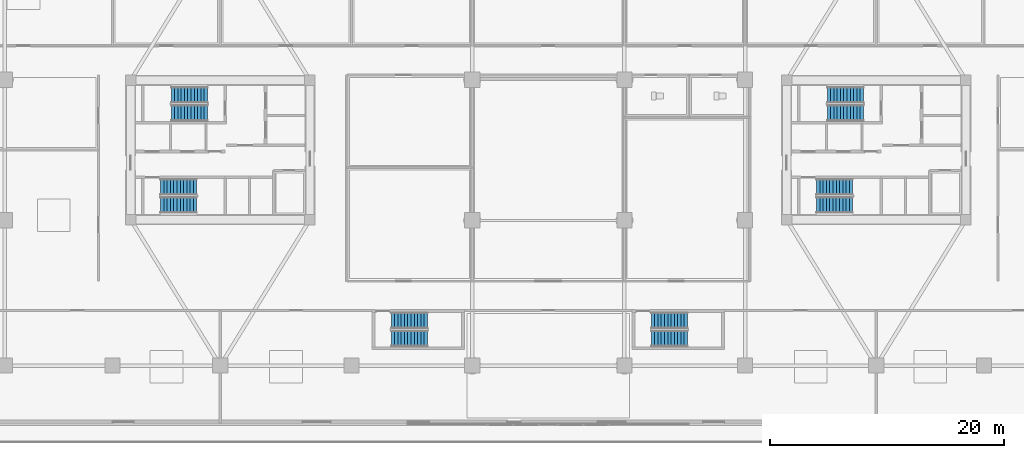
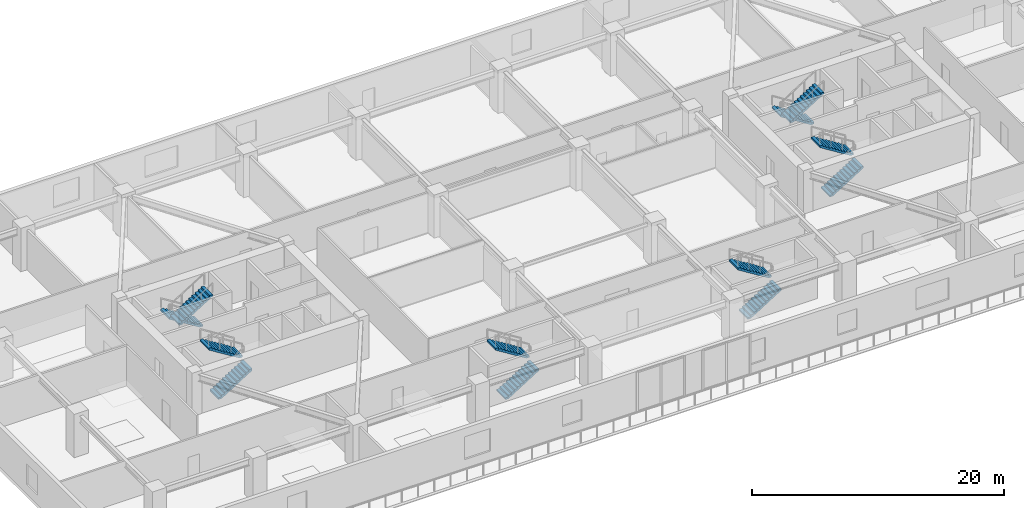
# One storey, part 12 of 22: 12 stair flights, 6 elements without a shape of their own.
"""IFC4 building model written with IfcOpenShell, lengths in metres."""

from ifc_helpers import new_model, si_unit, direction, frame, origin, place, context, subcontext, project, spatial, polyline, outline, extrude, material, type_object, element, aggregate, save


model = new_model("IFC4")

# Units and contexts
model_context = context("Model", 3, precision=1e-05, world=origin(), true_north=direction((0.0, 1.0)))
body_context = subcontext(model_context, "Body", "Model", "MODEL_VIEW")
ifc_project = project(units=[si_unit("LENGTHUNIT", "METRE"), si_unit("AREAUNIT", "SQUARE_METRE"), si_unit("VOLUMEUNIT", "CUBIC_METRE"), si_unit("PLANEANGLEUNIT", "RADIAN"), si_unit("MASSUNIT", "GRAM", prefix="KILO")], contexts=[model_context])

# Site, building, storey
site_placement = place(None, origin())
site = spatial("IfcSite", under=ifc_project, at=site_placement, CompositionType="ELEMENT")
building_placement = place(site_placement, origin())
building = spatial("IfcBuilding", under=site, at=building_placement, Name="Norrkilde Senior Care Towers", CompositionType="ELEMENT")
storey_placement = place(building_placement, frame((0.0, 0.0, 4.199951171875)))
storey = spatial("IfcBuildingStorey", under=building, at=storey_placement, Name="L01", CompositionType="ELEMENT", Elevation=4.199951171875)

# Stair, stair flights
ifc_material = material(Name="Concrete C45/55", Category="concrete")
stair_type = type_object("IfcStairType", Name="Core Protected Dogleg Stair Podium 4200", PredefinedType="HALF_TURN_STAIR", material=ifc_material)
stair_1_placement = place(storey_placement, origin())
stair_1 = element("IfcStair", 1, at=stair_1_placement, inside=storey, type_object=stair_type, Name="L01 Protected Core Stair W1", PredefinedType="HALF_TURN_STAIR")
stair_flight_type = type_object("IfcStairFlightType", Name="Core Protected Dogleg Stair Podium 4200 Flight", PredefinedType="STRAIGHT", material=ifc_material)
stair_flight_1_placement = place(storey_placement, frame((-29.10009765625, 4.699951171875, 0.0), z_axis=(0.0, 0.0, 1.0), x_axis=(-1.0, 0.0, 0.0)))
stair_flight_1 = element("IfcStairFlight", 2, at=stair_flight_1_placement, type_object=stair_flight_type, Name="ST-W1 flight 1", NumberOfRisers=12, NumberOfTreads=11, PredefinedType="STRAIGHT", RiserHeight=0.175, TreadLength=0.28, context=body_context, shape_type="SweptSolid", body=[
    extrude(outline(polyline([(0.0, 0.0), (0.0, 0.175048828125), (0.280029296875, 0.175048828125), (0.280029296875, 0.35009765625), (0.56005859375, 0.35009765625), (0.56005859375, 0.52490234375), (0.840087890625, 0.52490234375), (0.840087890625, 0.699951171875), (1.1201171875, 0.699951171875), (1.1201171875, 0.875), (1.39990234375, 0.875), (1.39990234375, 1.050048828125), (1.679931640625, 1.050048828125), (1.679931640625, 1.22509765625), (1.9599609375, 1.22509765625), (1.9599609375, 1.39990234375), (2.239990234375, 1.39990234375), (2.239990234375, 1.574951171875), (2.52001953125, 1.574951171875), (2.52001953125, 1.75), (2.800048828125, 1.75), (2.800048828125, 1.925048828125), (3.080078125, 1.925048828125), (3.080078125, 2.10009765625), (3.080078125, 1.748291015625), (0.28271484375, 0.0), (0.0, 0.0)])), frame((0.0, 0.699951171875, 0.0), z_axis=(0.0, -1.0, 0.0), x_axis=(1.0, 0.0, 0.0)), (0.0, 0.0, 1.0), 1.39990234375),
])
stair_flight_2_placement = place(storey_placement, frame((-32.179931640625, 3.14990234375, 2.10009765625), z_axis=(0.0, 0.0, 1.0), x_axis=(1.0, 0.0, 0.0)))
stair_flight_2 = element("IfcStairFlight", 3, at=stair_flight_2_placement, type_object=stair_flight_type, Name="ST-W1 flight 2", NumberOfRisers=12, NumberOfTreads=11, PredefinedType="STRAIGHT", RiserHeight=0.175, TreadLength=0.28, context=body_context, shape_type="SweptSolid", body=[
    extrude(outline(polyline([(0.0, 0.0), (0.0, 0.175048828125), (0.280029296875, 0.175048828125), (0.280029296875, 0.35009765625), (0.56005859375, 0.35009765625), (0.56005859375, 0.52490234375), (0.840087890625, 0.52490234375), (0.840087890625, 0.699951171875), (1.1201171875, 0.699951171875), (1.1201171875, 0.875), (1.39990234375, 0.875), (1.39990234375, 1.050048828125), (1.679931640625, 1.050048828125), (1.679931640625, 1.22509765625), (1.9599609375, 1.22509765625), (1.9599609375, 1.39990234375), (2.239990234375, 1.39990234375), (2.239990234375, 1.574951171875), (2.52001953125, 1.574951171875), (2.52001953125, 1.75), (2.800048828125, 1.75), (2.800048828125, 1.925048828125), (3.080078125, 1.925048828125), (3.080078125, 2.10009765625), (3.080078125, 1.748291015625), (0.28271484375, 0.0), (0.0, 0.0)])), frame((0.0, 0.699951171875, 0.0), z_axis=(0.0, -1.0, 0.0), x_axis=(1.0, 0.0, 0.0)), (0.0, 0.0, 1.0), 1.39990234375),
])
aggregate(stair_1, [stair_flight_1, stair_flight_2])

stair_2_placement = place(storey_placement, origin())
stair_2 = element("IfcStair", 4, at=stair_2_placement, inside=storey, type_object=stair_type, Name="L01 Protected Core Stair W2", PredefinedType="HALF_TURN_STAIR")
stair_flight_3_placement = place(storey_placement, frame((-33.10009765625, -4.699951171875, 0.0), z_axis=(0.0, 0.0, 1.0), x_axis=(1.0, 0.0, 0.0)))
stair_flight_3 = element("IfcStairFlight", 5, at=stair_flight_3_placement, type_object=stair_flight_type, Name="ST-W2 flight 1", NumberOfRisers=12, NumberOfTreads=11, PredefinedType="STRAIGHT", RiserHeight=0.175, TreadLength=0.28, context=body_context, shape_type="SweptSolid", body=[
    extrude(outline(polyline([(0.0, 0.0), (0.0, 0.175048828125), (0.280029296875, 0.175048828125), (0.280029296875, 0.35009765625), (0.56005859375, 0.35009765625), (0.56005859375, 0.52490234375), (0.840087890625, 0.52490234375), (0.840087890625, 0.699951171875), (1.1201171875, 0.699951171875), (1.1201171875, 0.875), (1.39990234375, 0.875), (1.39990234375, 1.050048828125), (1.679931640625, 1.050048828125), (1.679931640625, 1.22509765625), (1.9599609375, 1.22509765625), (1.9599609375, 1.39990234375), (2.239990234375, 1.39990234375), (2.239990234375, 1.574951171875), (2.52001953125, 1.574951171875), (2.52001953125, 1.75), (2.800048828125, 1.75), (2.800048828125, 1.925048828125), (3.080078125, 1.925048828125), (3.080078125, 2.10009765625), (3.080078125, 1.748291015625), (0.28271484375, 0.0), (0.0, 0.0)])), frame((0.0, 0.699951171875, 0.0), z_axis=(0.0, -1.0, 0.0), x_axis=(1.0, 0.0, 0.0)), (0.0, 0.0, 1.0), 1.39990234375),
])
stair_flight_4_placement = place(storey_placement, frame((-30.02001953125, -3.14990234375, 2.10009765625), z_axis=(0.0, 0.0, 1.0), x_axis=(-1.0, 0.0, 0.0)))
stair_flight_4 = element("IfcStairFlight", 6, at=stair_flight_4_placement, type_object=stair_flight_type, Name="ST-W2 flight 2", NumberOfRisers=12, NumberOfTreads=11, PredefinedType="STRAIGHT", RiserHeight=0.175, TreadLength=0.28, context=body_context, shape_type="SweptSolid", body=[
    extrude(outline(polyline([(0.0, 0.0), (0.0, 0.175048828125), (0.280029296875, 0.175048828125), (0.280029296875, 0.35009765625), (0.56005859375, 0.35009765625), (0.56005859375, 0.52490234375), (0.840087890625, 0.52490234375), (0.840087890625, 0.699951171875), (1.1201171875, 0.699951171875), (1.1201171875, 0.875), (1.39990234375, 0.875), (1.39990234375, 1.050048828125), (1.679931640625, 1.050048828125), (1.679931640625, 1.22509765625), (1.9599609375, 1.22509765625), (1.9599609375, 1.39990234375), (2.239990234375, 1.39990234375), (2.239990234375, 1.574951171875), (2.52001953125, 1.574951171875), (2.52001953125, 1.75), (2.800048828125, 1.75), (2.800048828125, 1.925048828125), (3.080078125, 1.925048828125), (3.080078125, 2.10009765625), (3.080078125, 1.748291015625), (0.28271484375, 0.0), (0.0, 0.0)])), frame((0.0, 0.699951171875, 0.0), z_axis=(0.0, -1.0, 0.0), x_axis=(1.0, 0.0, 0.0)), (0.0, 0.0, 1.0), 1.39990234375),
])
aggregate(stair_2, [stair_flight_3, stair_flight_4])

stair_3_placement = place(storey_placement, origin())
stair_3 = element("IfcStair", 7, at=stair_3_placement, inside=storey, type_object=stair_type, Name="L01 Protected Core Stair E1", PredefinedType="HALF_TURN_STAIR")
stair_flight_5_placement = place(storey_placement, frame((26.89990234375, 4.699951171875, 0.0), z_axis=(0.0, 0.0, 1.0), x_axis=(-1.0, 0.0, 0.0)))
stair_flight_5 = element("IfcStairFlight", 8, at=stair_flight_5_placement, type_object=stair_flight_type, Name="ST-E1 flight 1", NumberOfRisers=12, NumberOfTreads=11, PredefinedType="STRAIGHT", RiserHeight=0.175, TreadLength=0.28, context=body_context, shape_type="SweptSolid", body=[
    extrude(outline(polyline([(0.0, 0.0), (0.0, 0.175048828125), (0.280029296875, 0.175048828125), (0.280029296875, 0.35009765625), (0.56005859375, 0.35009765625), (0.56005859375, 0.52490234375), (0.840087890625, 0.52490234375), (0.840087890625, 0.699951171875), (1.1201171875, 0.699951171875), (1.1201171875, 0.875), (1.39990234375, 0.875), (1.39990234375, 1.050048828125), (1.679931640625, 1.050048828125), (1.679931640625, 1.22509765625), (1.9599609375, 1.22509765625), (1.9599609375, 1.39990234375), (2.239990234375, 1.39990234375), (2.239990234375, 1.574951171875), (2.52001953125, 1.574951171875), (2.52001953125, 1.75), (2.800048828125, 1.75), (2.800048828125, 1.925048828125), (3.080078125, 1.925048828125), (3.080078125, 2.10009765625), (3.080078125, 1.748291015625), (0.28271484375, 0.0), (0.0, 0.0)])), frame((0.0, 0.699951171875, 0.0), z_axis=(0.0, -1.0, 0.0), x_axis=(1.0, 0.0, 0.0)), (0.0, 0.0, 1.0), 1.39990234375),
])
stair_flight_6_placement = place(storey_placement, frame((23.820068359375, 3.14990234375, 2.10009765625), z_axis=(0.0, 0.0, 1.0), x_axis=(1.0, 0.0, 0.0)))
stair_flight_6 = element("IfcStairFlight", 9, at=stair_flight_6_placement, type_object=stair_flight_type, Name="ST-E1 flight 2", NumberOfRisers=12, NumberOfTreads=11, PredefinedType="STRAIGHT", RiserHeight=0.175, TreadLength=0.28, context=body_context, shape_type="SweptSolid", body=[
    extrude(outline(polyline([(0.0, 0.0), (0.0, 0.175048828125), (0.280029296875, 0.175048828125), (0.280029296875, 0.35009765625), (0.56005859375, 0.35009765625), (0.56005859375, 0.52490234375), (0.840087890625, 0.52490234375), (0.840087890625, 0.699951171875), (1.1201171875, 0.699951171875), (1.1201171875, 0.875), (1.39990234375, 0.875), (1.39990234375, 1.050048828125), (1.679931640625, 1.050048828125), (1.679931640625, 1.22509765625), (1.9599609375, 1.22509765625), (1.9599609375, 1.39990234375), (2.239990234375, 1.39990234375), (2.239990234375, 1.574951171875), (2.52001953125, 1.574951171875), (2.52001953125, 1.75), (2.800048828125, 1.75), (2.800048828125, 1.925048828125), (3.080078125, 1.925048828125), (3.080078125, 2.10009765625), (3.080078125, 1.748291015625), (0.28271484375, 0.0), (0.0, 0.0)])), frame((0.0, 0.699951171875, 0.0), z_axis=(0.0, -1.0, 0.0), x_axis=(1.0, 0.0, 0.0)), (0.0, 0.0, 1.0), 1.39990234375),
])
aggregate(stair_3, [stair_flight_5, stair_flight_6])

stair_4_placement = place(storey_placement, origin())
stair_4 = element("IfcStair", 10, at=stair_4_placement, inside=storey, type_object=stair_type, Name="L01 Protected Core Stair E2", PredefinedType="HALF_TURN_STAIR")
stair_flight_7_placement = place(storey_placement, frame((22.89990234375, -4.699951171875, 0.0), z_axis=(0.0, 0.0, 1.0), x_axis=(1.0, 0.0, 0.0)))
stair_flight_7 = element("IfcStairFlight", 11, at=stair_flight_7_placement, type_object=stair_flight_type, Name="ST-E2 flight 1", NumberOfRisers=12, NumberOfTreads=11, PredefinedType="STRAIGHT", RiserHeight=0.175, TreadLength=0.28, context=body_context, shape_type="SweptSolid", body=[
    extrude(outline(polyline([(0.0, 0.0), (0.0, 0.175048828125), (0.280029296875, 0.175048828125), (0.280029296875, 0.35009765625), (0.56005859375, 0.35009765625), (0.56005859375, 0.52490234375), (0.840087890625, 0.52490234375), (0.840087890625, 0.699951171875), (1.1201171875, 0.699951171875), (1.1201171875, 0.875), (1.39990234375, 0.875), (1.39990234375, 1.050048828125), (1.679931640625, 1.050048828125), (1.679931640625, 1.22509765625), (1.9599609375, 1.22509765625), (1.9599609375, 1.39990234375), (2.239990234375, 1.39990234375), (2.239990234375, 1.574951171875), (2.52001953125, 1.574951171875), (2.52001953125, 1.75), (2.800048828125, 1.75), (2.800048828125, 1.925048828125), (3.080078125, 1.925048828125), (3.080078125, 2.10009765625), (3.080078125, 1.748291015625), (0.28271484375, 0.0), (0.0, 0.0)])), frame((0.0, 0.699951171875, 0.0), z_axis=(0.0, -1.0, 0.0), x_axis=(1.0, 0.0, 0.0)), (0.0, 0.0, 1.0), 1.39990234375),
])
stair_flight_8_placement = place(storey_placement, frame((25.97998046875, -3.14990234375, 2.10009765625), z_axis=(0.0, 0.0, 1.0), x_axis=(-1.0, 0.0, 0.0)))
stair_flight_8 = element("IfcStairFlight", 12, at=stair_flight_8_placement, type_object=stair_flight_type, Name="ST-E2 flight 2", NumberOfRisers=12, NumberOfTreads=11, PredefinedType="STRAIGHT", RiserHeight=0.175, TreadLength=0.28, context=body_context, shape_type="SweptSolid", body=[
    extrude(outline(polyline([(0.0, 0.0), (0.0, 0.175048828125), (0.280029296875, 0.175048828125), (0.280029296875, 0.35009765625), (0.56005859375, 0.35009765625), (0.56005859375, 0.52490234375), (0.840087890625, 0.52490234375), (0.840087890625, 0.699951171875), (1.1201171875, 0.699951171875), (1.1201171875, 0.875), (1.39990234375, 0.875), (1.39990234375, 1.050048828125), (1.679931640625, 1.050048828125), (1.679931640625, 1.22509765625), (1.9599609375, 1.22509765625), (1.9599609375, 1.39990234375), (2.239990234375, 1.39990234375), (2.239990234375, 1.574951171875), (2.52001953125, 1.574951171875), (2.52001953125, 1.75), (2.800048828125, 1.75), (2.800048828125, 1.925048828125), (3.080078125, 1.925048828125), (3.080078125, 2.10009765625), (3.080078125, 1.748291015625), (0.28271484375, 0.0), (0.0, 0.0)])), frame((0.0, 0.699951171875, 0.0), z_axis=(0.0, -1.0, 0.0), x_axis=(1.0, 0.0, 0.0)), (0.0, 0.0, 1.0), 1.39990234375),
])
aggregate(stair_4, [stair_flight_7, stair_flight_8])

stair_5_placement = place(storey_placement, origin())
stair_5 = element("IfcStair", 13, at=stair_5_placement, inside=storey, type_object=stair_type, Name="L01 Podium Clinic Exit Stair P1", PredefinedType="HALF_TURN_STAIR")
stair_flight_9_placement = place(storey_placement, frame((-13.39990234375, -16.10009765625, 0.0), z_axis=(0.0, 0.0, 1.0), x_axis=(1.0, 0.0, 0.0)))
stair_flight_9 = element("IfcStairFlight", 14, at=stair_flight_9_placement, type_object=stair_flight_type, Name="ST-P1 flight 1", NumberOfRisers=12, NumberOfTreads=11, PredefinedType="STRAIGHT", RiserHeight=0.175, TreadLength=0.28, context=body_context, shape_type="SweptSolid", body=[
    extrude(outline(polyline([(0.0, 0.0), (0.0, 0.175048828125), (0.280029296875, 0.175048828125), (0.280029296875, 0.35009765625), (0.56005859375, 0.35009765625), (0.56005859375, 0.52490234375), (0.840087890625, 0.52490234375), (0.840087890625, 0.699951171875), (1.1201171875, 0.699951171875), (1.1201171875, 0.875), (1.39990234375, 0.875), (1.39990234375, 1.050048828125), (1.679931640625, 1.050048828125), (1.679931640625, 1.22509765625), (1.9599609375, 1.22509765625), (1.9599609375, 1.39990234375), (2.239990234375, 1.39990234375), (2.239990234375, 1.574951171875), (2.52001953125, 1.574951171875), (2.52001953125, 1.75), (2.800048828125, 1.75), (2.800048828125, 1.925048828125), (3.080078125, 1.925048828125), (3.080078125, 2.10009765625), (3.080078125, 1.748291015625), (0.28271484375, 0.0), (0.0, 0.0)])), frame((0.0, 0.699951171875, 0.0), z_axis=(0.0, -1.0, 0.0), x_axis=(1.0, 0.0, 0.0)), (0.0, 0.0, 1.0), 1.39990234375),
])
stair_flight_10_placement = place(storey_placement, frame((-10.320068359375, -14.550048828125, 2.10009765625), z_axis=(0.0, 0.0, 1.0), x_axis=(-1.0, 0.0, 0.0)))
stair_flight_10 = element("IfcStairFlight", 15, at=stair_flight_10_placement, type_object=stair_flight_type, Name="ST-P1 flight 2", NumberOfRisers=12, NumberOfTreads=11, PredefinedType="STRAIGHT", RiserHeight=0.175, TreadLength=0.28, context=body_context, shape_type="SweptSolid", body=[
    extrude(outline(polyline([(0.0, 0.0), (0.0, 0.175048828125), (0.280029296875, 0.175048828125), (0.280029296875, 0.35009765625), (0.56005859375, 0.35009765625), (0.56005859375, 0.52490234375), (0.840087890625, 0.52490234375), (0.840087890625, 0.699951171875), (1.1201171875, 0.699951171875), (1.1201171875, 0.875), (1.39990234375, 0.875), (1.39990234375, 1.050048828125), (1.679931640625, 1.050048828125), (1.679931640625, 1.22509765625), (1.9599609375, 1.22509765625), (1.9599609375, 1.39990234375), (2.239990234375, 1.39990234375), (2.239990234375, 1.574951171875), (2.52001953125, 1.574951171875), (2.52001953125, 1.75), (2.800048828125, 1.75), (2.800048828125, 1.925048828125), (3.080078125, 1.925048828125), (3.080078125, 2.10009765625), (3.080078125, 1.748291015625), (0.28271484375, 0.0), (0.0, 0.0)])), frame((0.0, 0.699951171875, 0.0), z_axis=(0.0, -1.0, 0.0), x_axis=(1.0, 0.0, 0.0)), (0.0, 0.0, 1.0), 1.39990234375),
])
aggregate(stair_5, [stair_flight_9, stair_flight_10])

stair_6_placement = place(storey_placement, origin())
stair_6 = element("IfcStair", 16, at=stair_6_placement, inside=storey, type_object=stair_type, Name="L01 Podium Clinic Exit Stair P2", PredefinedType="HALF_TURN_STAIR")
stair_flight_11_placement = place(storey_placement, frame((8.800048828125, -16.10009765625, 0.0), z_axis=(0.0, 0.0, 1.0), x_axis=(1.0, 0.0, 0.0)))
stair_flight_11 = element("IfcStairFlight", 17, at=stair_flight_11_placement, type_object=stair_flight_type, Name="ST-P2 flight 1", NumberOfRisers=12, NumberOfTreads=11, PredefinedType="STRAIGHT", RiserHeight=0.175, TreadLength=0.28, context=body_context, shape_type="SweptSolid", body=[
    extrude(outline(polyline([(0.0, 0.0), (0.0, 0.175048828125), (0.280029296875, 0.175048828125), (0.280029296875, 0.35009765625), (0.56005859375, 0.35009765625), (0.56005859375, 0.52490234375), (0.840087890625, 0.52490234375), (0.840087890625, 0.699951171875), (1.1201171875, 0.699951171875), (1.1201171875, 0.875), (1.39990234375, 0.875), (1.39990234375, 1.050048828125), (1.679931640625, 1.050048828125), (1.679931640625, 1.22509765625), (1.9599609375, 1.22509765625), (1.9599609375, 1.39990234375), (2.239990234375, 1.39990234375), (2.239990234375, 1.574951171875), (2.52001953125, 1.574951171875), (2.52001953125, 1.75), (2.800048828125, 1.75), (2.800048828125, 1.925048828125), (3.080078125, 1.925048828125), (3.080078125, 2.10009765625), (3.080078125, 1.748291015625), (0.28271484375, 0.0), (0.0, 0.0)])), frame((0.0, 0.699951171875, 0.0), z_axis=(0.0, -1.0, 0.0), x_axis=(1.0, 0.0, 0.0)), (0.0, 0.0, 1.0), 1.39990234375),
])
stair_flight_12_placement = place(storey_placement, frame((11.8798828125, -14.550048828125, 2.10009765625), z_axis=(0.0, 0.0, 1.0), x_axis=(-1.0, 0.0, 0.0)))
stair_flight_12 = element("IfcStairFlight", 18, at=stair_flight_12_placement, type_object=stair_flight_type, Name="ST-P2 flight 2", NumberOfRisers=12, NumberOfTreads=11, PredefinedType="STRAIGHT", RiserHeight=0.175, TreadLength=0.28, context=body_context, shape_type="SweptSolid", body=[
    extrude(outline(polyline([(0.0, 0.0), (0.0, 0.175048828125), (0.280029296875, 0.175048828125), (0.280029296875, 0.35009765625), (0.56005859375, 0.35009765625), (0.56005859375, 0.52490234375), (0.840087890625, 0.52490234375), (0.840087890625, 0.699951171875), (1.1201171875, 0.699951171875), (1.1201171875, 0.875), (1.39990234375, 0.875), (1.39990234375, 1.050048828125), (1.679931640625, 1.050048828125), (1.679931640625, 1.22509765625), (1.9599609375, 1.22509765625), (1.9599609375, 1.39990234375), (2.239990234375, 1.39990234375), (2.239990234375, 1.574951171875), (2.52001953125, 1.574951171875), (2.52001953125, 1.75), (2.800048828125, 1.75), (2.800048828125, 1.925048828125), (3.080078125, 1.925048828125), (3.080078125, 2.10009765625), (3.080078125, 1.748291015625), (0.28271484375, 0.0), (0.0, 0.0)])), frame((0.0, 0.699951171875, 0.0), z_axis=(0.0, -1.0, 0.0), x_axis=(1.0, 0.0, 0.0)), (0.0, 0.0, 1.0), 1.39990234375),
])
aggregate(stair_6, [stair_flight_11, stair_flight_12])

save(model, "model.ifc")
